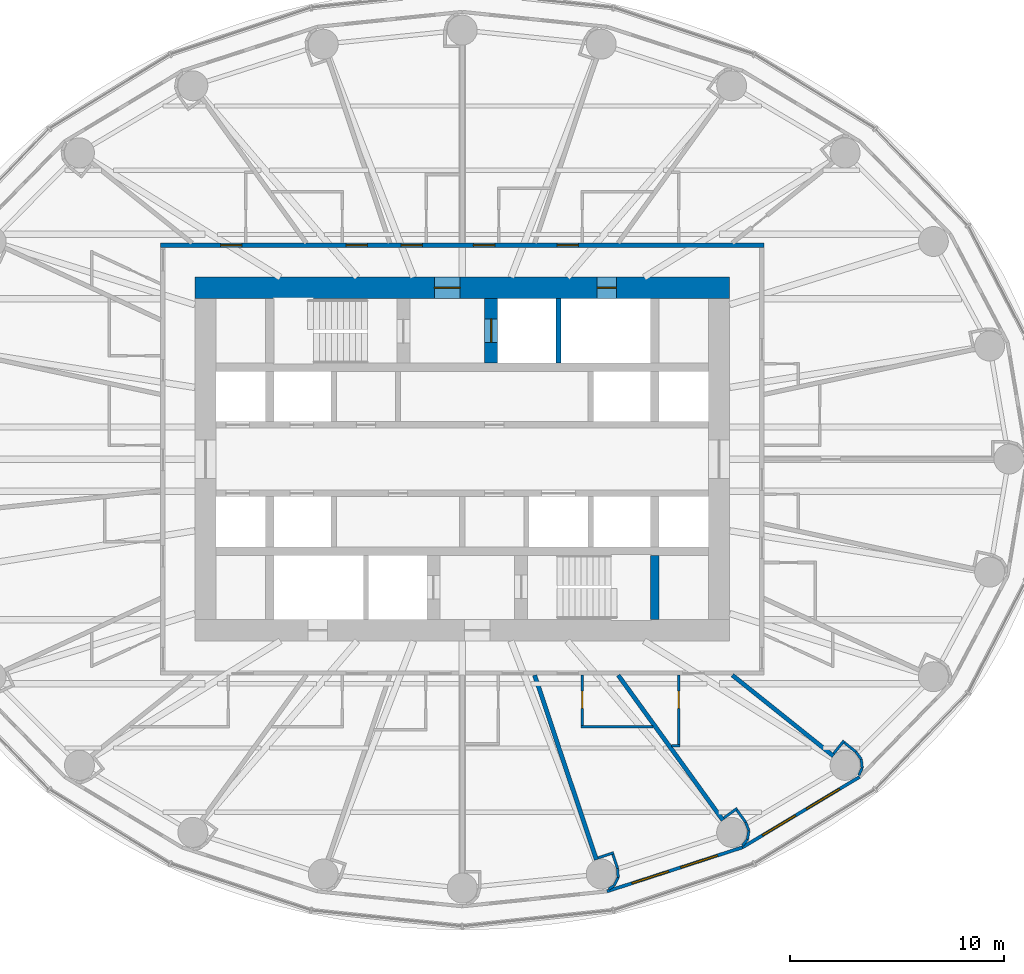
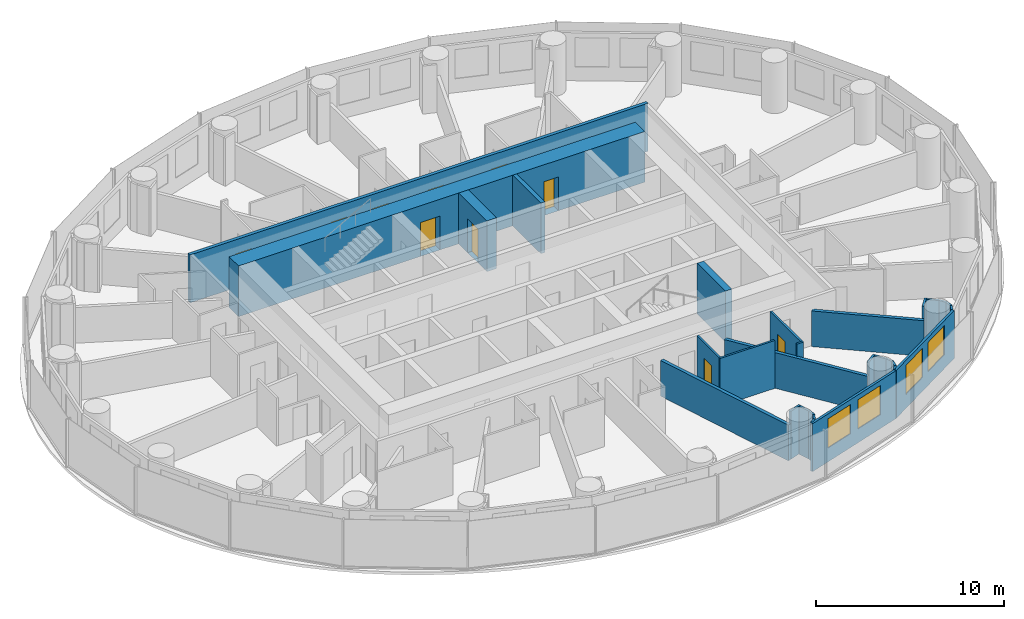
# One storey, part 9 of 14: 29 walls, 10 doors, 4 windows, 14 openings.
"""IFC4 building model written with IfcOpenShell, lengths in metres."""

from ifc_helpers import new_model, si_unit, direction, frame, frame_2d, origin, place, context, subcontext, project, spatial, rectangle, extrude, material, layer, layer_set, type_object, element, fill, save


model = new_model("IFC4")

# Units and contexts
model_context = context("Model", 3, precision=1e-05, world=origin(), true_north=direction((0.0, 1.0)))
body_context = subcontext(model_context, "Body", "Model", "MODEL_VIEW")
ifc_project = project(units=[si_unit("LENGTHUNIT", "METRE"), si_unit("AREAUNIT", "SQUARE_METRE"), si_unit("VOLUMEUNIT", "CUBIC_METRE"), si_unit("PLANEANGLEUNIT", "RADIAN"), si_unit("MASSUNIT", "GRAM", prefix="KILO")], contexts=[model_context])

# Site, building, storey
site_placement = place(None, origin())
site = spatial("IfcSite", under=ifc_project, at=site_placement, CompositionType="ELEMENT")
building_placement = place(site_placement, origin())
building = spatial("IfcBuilding", under=site, at=building_placement, Name="Hankou Lantern Tower", CompositionType="ELEMENT")
storey_placement = place(building_placement, frame((0.0, 0.0, 60.60009765625)))
storey = spatial("IfcBuildingStorey", under=building, at=storey_placement, Name="L14", CompositionType="ELEMENT", Elevation=60.60009765625)

# Wall, openings, doors
ifc_material_1 = material(Name="Concrete C60", Category="concrete")
ifc_layer_1 = layer(ifc_material_1, 1.0)
ifc_layer_set_1 = layer_set([ifc_layer_1], Name="Concrete C60")
wall_type_1 = type_object("IfcWallType", Name="CW1 CORE WALL 1000", PredefinedType="SHEAR", material=ifc_layer_set_1)
wall_1_placement = place(storey_placement, frame((-12.5, 8.0, 0.0), z_axis=(0.0, 0.0, 1.0), x_axis=(1.0, 0.0, 0.0)))
wall_1 = element("IfcWall", 1, at=wall_1_placement, inside=storey, type_object=wall_type_1, Name="Core wall north L14", PredefinedType="SHEAR", context=body_context, shape_type="SweptSolid", body=[
    extrude(rectangle(XDim=25.0, YDim=1.0, at=frame_2d((12.5, 0.0))), origin(), (0.0, 0.0, 1.0), 3.2998046875),
])
opening_1_placement = place(wall_1_placement, frame((11.199951171875, 0.0, 0.0)))
opening_1 = element("IfcOpeningElement", 2, at=opening_1_placement, cuts=wall_1, Name="Opening D5", PredefinedType="OPENING", context=body_context, shape_type="SweptSolid", body=[
    extrude(rectangle(XDim=1.199951171875, YDim=2.199951171875, at=frame_2d((0.60009765625, 1.10009765625))), frame((0.0, 0.510009765625, 0.0), z_axis=(0.0, -1.0, 0.0), x_axis=(1.0, 0.0, 0.0)), (0.0, 0.0, 1.0), 1.02001953125),
])
opening_2_placement = place(wall_1_placement, frame((18.800048828125, 0.0, 0.0)))
opening_2 = element("IfcOpeningElement", 3, at=opening_2_placement, cuts=wall_1, Name="Opening D7", PredefinedType="OPENING", context=body_context, shape_type="SweptSolid", body=[
    extrude(rectangle(XDim=0.89990234375, YDim=2.199951171875, at=frame_2d((0.449951171875, 1.10009765625))), frame((0.0, 0.510009765625, 0.0), z_axis=(0.0, -1.0, 0.0), x_axis=(1.0, 0.0, 0.0)), (0.0, 0.0, 1.0), 1.02001953125),
])
ifc_material_2 = material(Name="Steel door leaf", Category="steel")
door_type_1 = type_object("IfcDoorType", Name="D5 STAIR LOBBY DOOR 1200X2200", OperationType="SINGLE_SWING_LEFT", PredefinedType="DOOR", material=ifc_material_2)
door_1_placement = place(opening_1_placement, origin())
door_1 = element("IfcDoor", 4, at=door_1_placement, inside=storey, type_object=door_type_1, Name="Stair A lobby door", OperationType="SINGLE_SWING_LEFT", OverallHeight=2.199951171875, OverallWidth=1.199951171875, PredefinedType="DOOR", context=body_context, shape_type="SweptSolid", body=[
    extrude(rectangle(XDim=1.199951171875, YDim=2.199951171875, at=frame_2d((0.60009765625, 1.10009765625))), frame((0.0, 0.02490234375, 0.0), z_axis=(0.0, -1.0, 0.0), x_axis=(1.0, 0.0, 0.0)), (0.0, 0.0, 1.0), 0.050048828125),
])
fill(opening_1, door_1)
ifc_material_3 = material(Name="Steel door leaf", Category="steel")
door_type_2 = type_object("IfcDoorType", Name="D7 RISER DOOR 900X2200", OperationType="SINGLE_SWING_LEFT", PredefinedType="DOOR", material=ifc_material_3)
door_2_placement = place(opening_2_placement, origin())
door_2 = element("IfcDoor", 5, at=door_2_placement, inside=storey, type_object=door_type_2, Name="Riser N1 door", OperationType="SINGLE_SWING_RIGHT", OverallHeight=2.199951171875, OverallWidth=0.89990234375, PredefinedType="DOOR", context=body_context, shape_type="SweptSolid", body=[
    extrude(rectangle(XDim=0.89990234375, YDim=2.199951171875, at=frame_2d((0.449951171875, 1.10009765625))), frame((0.0, 0.02490234375, 0.0), z_axis=(0.0, -1.0, 0.0), x_axis=(1.0, 0.0, 0.0)), (0.0, 0.0, 1.0), 0.050048828125),
])
fill(opening_2, door_2)

# Wall
ifc_material_4 = material(Name="Concrete C60", Category="concrete")
ifc_layer_2 = layer(ifc_material_4, 0.39990234375)
ifc_layer_set_2 = layer_set([ifc_layer_2], Name="Concrete C60")
wall_type_2 = type_object("IfcWallType", Name="CW4 CORE CROSS WALL 400", PredefinedType="SHEAR", material=ifc_layer_set_2)
wall_2_placement = place(storey_placement, frame((9.0, -7.5, 0.0), z_axis=(0.0, 0.0, 1.0), x_axis=(0.0, 1.0, 0.0)))
element("IfcWall", 6, at=wall_2_placement, inside=storey, type_object=wall_type_2, Name="Core strip wall L14", PredefinedType="SHEAR", context=body_context, shape_type="SweptSolid", body=[
    extrude(rectangle(XDim=3.0, YDim=0.39990234375, at=frame_2d((1.5, 0.0))), origin(), (0.0, 0.0, 1.0), 3.2998046875),
])

# Wall, opening, door
ifc_material_5 = material(Name="Concrete C60", Category="concrete")
ifc_layer_3 = layer(ifc_material_5, 0.60009765625)
ifc_layer_set_3 = layer_set([ifc_layer_3], Name="Concrete C60")
wall_type_3 = type_object("IfcWallType", Name="CW6 STAIR AND SHAFT WALL 600", PredefinedType="SHEAR", material=ifc_layer_set_3)
wall_3_placement = place(storey_placement, frame((1.35009765625, 4.5, 0.0), z_axis=(0.0, 0.0, 1.0), x_axis=(0.0, 1.0, 0.0)))
wall_3 = element("IfcWall", 7, at=wall_3_placement, inside=storey, type_object=wall_type_3, Name="Firefighting lift shaft wall L14", PredefinedType="SHEAR", context=body_context, shape_type="SweptSolid", body=[
    extrude(rectangle(XDim=3.0, YDim=0.60009765625, at=frame_2d((1.5, 0.0))), origin(), (0.0, 0.0, 1.0), 3.2998046875),
])
opening_3_placement = place(wall_3_placement, frame((0.949951171875, 0.0, 0.0)))
opening_3 = element("IfcOpeningElement", 8, at=opening_3_placement, cuts=wall_3, Name="Opening LD2", PredefinedType="OPENING", context=body_context, shape_type="SweptSolid", body=[
    extrude(rectangle(XDim=1.10009765625, YDim=2.199951171875, at=frame_2d((0.550048828125, 1.10009765625))), frame((0.0, 0.31005859375, 0.0), z_axis=(0.0, -1.0, 0.0), x_axis=(1.0, 0.0, 0.0)), (0.0, 0.0, 1.0), 0.6201171875),
])
ifc_material_6 = material(Name="Steel door leaf", Category="steel")
door_type_3 = type_object("IfcDoorType", Name="LD2 FIREFIGHTING LIFT LANDING DOOR 1100X2200", OperationType="DOUBLE_DOOR_SLIDING", PredefinedType="DOOR", material=ifc_material_6)
door_3_placement = place(opening_3_placement, origin())
door_3 = element("IfcDoor", 9, at=door_3_placement, inside=storey, type_object=door_type_3, Name="Firefighting lift FL1 landing door", OperationType="DOUBLE_DOOR_SLIDING", OverallHeight=2.199951171875, OverallWidth=1.10009765625, PredefinedType="DOOR", context=body_context, shape_type="SweptSolid", body=[
    extrude(rectangle(XDim=1.10009765625, YDim=2.199951171875, at=frame_2d((0.550048828125, 1.10009765625))), frame((0.0, 0.02490234375, 0.0), z_axis=(0.0, -1.0, 0.0), x_axis=(1.0, 0.0, 0.0)), (0.0, 0.0, 1.0), 0.050048828125),
])
fill(opening_3, door_3)

# Wall, openings, windows
ifc_material_7 = material(Name="Aluminium spandrel panel on steel studs", Category="steel")
ifc_layer_4 = layer(ifc_material_7, 0.14990234375)
ifc_layer_set_4 = layer_set([ifc_layer_4], Name="Aluminium spandrel panel on steel studs")
wall_type_4 = type_object("IfcWallType", Name="EW1 INNER SKIN WALL 150", PredefinedType="ELEMENTEDWALL", material=ifc_layer_set_4)
wall_4_placement = place(storey_placement, frame((6.766357421875, -20.201904296875, 0.0), z_axis=(0.0, 0.0, 1.0), x_axis=(0.951137534625, 0.308767534285, 0.0)))
wall_4 = element("IfcWall", 10, at=wall_4_placement, inside=storey, type_object=wall_type_4, Name="Inner skin R20-R21 L14", PredefinedType="ELEMENTEDWALL", context=body_context, shape_type="SweptSolid", body=[
    extrude(rectangle(XDim=6.6552734375, YDim=0.14990234375, at=frame_2d((3.32763671875, 0.0))), origin(), (0.0, 0.0, 1.0), 3.119873046875),
])
opening_4_placement = place(wall_4_placement, frame((1.2275390625, 0.0, 0.89990234375)))
opening_4 = element("IfcOpeningElement", 11, at=opening_4_placement, cuts=wall_4, Name="Opening W1", PredefinedType="OPENING", context=body_context, shape_type="SweptSolid", body=[
    extrude(rectangle(XDim=1.800048828125, YDim=1.89990234375, at=frame_2d((0.89990234375, 0.949951171875))), frame((0.0, 0.0849609375, 0.0), z_axis=(0.0, -1.0, 0.0), x_axis=(1.0, 0.0, 0.0)), (0.0, 0.0, 1.0), 0.169921875),
])
opening_5_placement = place(wall_4_placement, frame((3.627685546875, 0.0, 0.89990234375)))
opening_5 = element("IfcOpeningElement", 12, at=opening_5_placement, cuts=wall_4, Name="Opening W1", PredefinedType="OPENING", context=body_context, shape_type="SweptSolid", body=[
    extrude(rectangle(XDim=1.800048828125, YDim=1.89990234375, at=frame_2d((0.89990234375, 0.949951171875))), frame((0.0, 0.0849609375, 0.0), z_axis=(0.0, -1.0, 0.0), x_axis=(1.0, 0.0, 0.0)), (0.0, 0.0, 1.0), 0.169921875),
])
ifc_material_8 = material(Name="Aluminium framed double glazed window", Category="aluminium")
window_type = type_object("IfcWindowType", Name="W1 GUEST ROOM WINDOW 1800X1900", PartitioningType="DOUBLE_PANEL_VERTICAL", PredefinedType="WINDOW", material=ifc_material_8)
window_1_placement = place(opening_4_placement, origin())
window_1 = element("IfcWindow", 13, at=window_1_placement, inside=storey, type_object=window_type, Name="Window R20.1 L14", OverallHeight=1.89990234375, OverallWidth=1.800048828125, PartitioningType="SINGLE_PANEL", PredefinedType="WINDOW", context=body_context, shape_type="SweptSolid", body=[
    extrude(rectangle(XDim=1.800048828125, YDim=1.89990234375, at=frame_2d((0.89990234375, 0.949951171875))), frame((0.0, 0.030029296875, 0.0), z_axis=(0.0, -1.0, 0.0), x_axis=(1.0, 0.0, 0.0)), (0.0, 0.0, 1.0), 0.06005859375),
])
fill(opening_4, window_1)
window_2_placement = place(opening_5_placement, origin())
window_2 = element("IfcWindow", 14, at=window_2_placement, inside=storey, type_object=window_type, Name="Window R20.2 L14", OverallHeight=1.89990234375, OverallWidth=1.800048828125, PartitioningType="SINGLE_PANEL", PredefinedType="WINDOW", context=body_context, shape_type="SweptSolid", body=[
    extrude(rectangle(XDim=1.800048828125, YDim=1.89990234375, at=frame_2d((0.89990234375, 0.949951171875))), frame((0.0, 0.030029296875, 0.0), z_axis=(0.0, -1.0, 0.0), x_axis=(1.0, 0.0, 0.0)), (0.0, 0.0, 1.0), 0.06005859375),
])
fill(opening_5, window_2)

wall_5_placement = place(storey_placement, frame((13.096435546875, -18.14697265625, 0.0), z_axis=(0.0, 0.0, 1.0), x_axis=(0.856983180864, 0.515344377787, 0.0)))
wall_5 = element("IfcWall", 15, at=wall_5_placement, inside=storey, type_object=wall_type_4, Name="Inner skin R21-R22 L14", PredefinedType="ELEMENTEDWALL", context=body_context, shape_type="SweptSolid", body=[
    extrude(rectangle(XDim=6.386474609375, YDim=0.14990234375, at=frame_2d((3.193359375, 0.0))), origin(), (0.0, 0.0, 1.0), 3.119873046875),
])
opening_6_placement = place(wall_5_placement, frame((1.09326171875, 0.0, 0.89990234375)))
opening_6 = element("IfcOpeningElement", 16, at=opening_6_placement, cuts=wall_5, Name="Opening W1", PredefinedType="OPENING", context=body_context, shape_type="SweptSolid", body=[
    extrude(rectangle(XDim=1.800048828125, YDim=1.89990234375, at=frame_2d((0.89990234375, 0.949951171875))), frame((0.0, 0.0849609375, 0.0), z_axis=(0.0, -1.0, 0.0), x_axis=(1.0, 0.0, 0.0)), (0.0, 0.0, 1.0), 0.169921875),
])
opening_7_placement = place(wall_5_placement, frame((3.4931640625, 0.0, 0.89990234375)))
opening_7 = element("IfcOpeningElement", 17, at=opening_7_placement, cuts=wall_5, Name="Opening W1", PredefinedType="OPENING", context=body_context, shape_type="SweptSolid", body=[
    extrude(rectangle(XDim=1.800048828125, YDim=1.89990234375, at=frame_2d((0.89990234375, 0.949951171875))), frame((0.0, 0.0849609375, 0.0), z_axis=(0.0, -1.0, 0.0), x_axis=(1.0, 0.0, 0.0)), (0.0, 0.0, 1.0), 0.169921875),
])
window_3_placement = place(opening_6_placement, origin())
window_3 = element("IfcWindow", 18, at=window_3_placement, inside=storey, type_object=window_type, Name="Window R21.1 L14", OverallHeight=1.89990234375, OverallWidth=1.800048828125, PartitioningType="SINGLE_PANEL", PredefinedType="WINDOW", context=body_context, shape_type="SweptSolid", body=[
    extrude(rectangle(XDim=1.800048828125, YDim=1.89990234375, at=frame_2d((0.89990234375, 0.949951171875))), frame((0.0, 0.030029296875, 0.0), z_axis=(0.0, -1.0, 0.0), x_axis=(1.0, 0.0, 0.0)), (0.0, 0.0, 1.0), 0.06005859375),
])
fill(opening_6, window_3)
window_4_placement = place(opening_7_placement, origin())
window_4 = element("IfcWindow", 19, at=window_4_placement, inside=storey, type_object=window_type, Name="Window R21.2 L14", OverallHeight=1.89990234375, OverallWidth=1.800048828125, PartitioningType="SINGLE_PANEL", PredefinedType="WINDOW", context=body_context, shape_type="SweptSolid", body=[
    extrude(rectangle(XDim=1.800048828125, YDim=1.89990234375, at=frame_2d((0.89990234375, 0.949951171875))), frame((0.0, 0.030029296875, 0.0), z_axis=(0.0, -1.0, 0.0), x_axis=(1.0, 0.0, 0.0)), (0.0, 0.0, 1.0), 0.06005859375),
])
fill(opening_7, window_4)

# Walls
ifc_material_9 = material(Name="Masonry lightweight concrete block", Category="masonry")
ifc_layer_5 = layer(ifc_material_9, 0.199951171875)
ifc_layer_set_5 = layer_set([ifc_layer_5], Name="Masonry lightweight concrete block")
wall_type_5 = type_object("IfcWallType", Name="IW1 GUEST ROOM PARTY WALL 200", PredefinedType="PARTITIONING", material=ifc_layer_set_5)
wall_6_placement = place(storey_placement, frame((3.3828125, -10.10009765625, 0.0), z_axis=(0.0, 0.0, 1.0), x_axis=(0.31759592231, -0.948226149256, 0.0)))
element("IfcWall", 20, at=wall_6_placement, inside=storey, type_object=wall_type_5, Name="Party wall R20", PredefinedType="PARTITIONING", context=body_context, shape_type="SweptSolid", body=[
    extrude(rectangle(XDim=9.098388671875, YDim=0.199951171875, at=frame_2d((4.54931640625, 0.0))), origin(), (0.0, 0.0, 1.0), 2.31982421875),
])
wall_7_placement = place(storey_placement, frame((7.2890625, -10.10009765625, 0.0), z_axis=(0.0, 0.0, 1.0), x_axis=(0.585198353053, -0.810890182197, 0.0)))
element("IfcWall", 21, at=wall_7_placement, inside=storey, type_object=wall_type_5, Name="Party wall R21", PredefinedType="PARTITIONING", context=body_context, shape_type="SweptSolid", body=[
    extrude(rectangle(XDim=8.359619140625, YDim=0.199951171875, at=frame_2d((4.1796875, 0.0))), origin(), (0.0, 0.0, 1.0), 2.31982421875),
])
wall_8_placement = place(storey_placement, frame((12.625, -10.10009765625, 0.0), z_axis=(0.0, 0.0, 1.0), x_axis=(0.780892451574, -0.624665493744, 0.0)))
element("IfcWall", 22, at=wall_8_placement, inside=storey, type_object=wall_type_5, Name="Party wall R22", PredefinedType="PARTITIONING", context=body_context, shape_type="SweptSolid", body=[
    extrude(rectangle(XDim=6.044677734375, YDim=0.199951171875, at=frame_2d((3.0224609375, 0.0))), origin(), (0.0, 0.0, 1.0), 2.31982421875),
])

# Wall, openings, doors
ifc_material_10 = material(Name="Masonry lightweight concrete block", Category="masonry")
ifc_layer_6 = layer(ifc_material_10, 0.199951171875)
ifc_layer_set_6 = layer_set([ifc_layer_6], Name="Masonry lightweight concrete block")
wall_type_6 = type_object("IfcWallType", Name="IW2 CORRIDOR WALL 200", PredefinedType="PARTITIONING", material=ifc_layer_set_6)
wall_9_placement = place(storey_placement, frame((-14.10009765625, 10.0, 0.0), z_axis=(0.0, 0.0, 1.0), x_axis=(1.0, 0.0, 0.0)))
wall_9 = element("IfcWall", 23, at=wall_9_placement, inside=storey, type_object=wall_type_6, Name="Corridor wall north", PredefinedType="PARTITIONING", context=body_context, shape_type="SweptSolid", body=[
    extrude(rectangle(XDim=28.2001953125, YDim=0.199951171875, at=frame_2d((14.10009765625, 0.0))), origin(), (0.0, 0.0, 1.0), 3.119873046875),
])
opening_8_placement = place(wall_9_placement, frame((18.529052734375, 0.0, 0.0)))
opening_8 = element("IfcOpeningElement", 24, at=opening_8_placement, cuts=wall_9, Name="Opening D1", PredefinedType="OPENING", context=body_context, shape_type="SweptSolid", body=[
    extrude(rectangle(XDim=1.0, YDim=2.199951171875, at=frame_2d((0.5, 1.10009765625))), frame((0.0, 0.10986328125, 0.0), z_axis=(0.0, -1.0, 0.0), x_axis=(1.0, 0.0, 0.0)), (0.0, 0.0, 1.0), 0.219970703125),
])
opening_9_placement = place(wall_9_placement, frame((14.622802734375, 0.0, 0.0)))
opening_9 = element("IfcOpeningElement", 25, at=opening_9_placement, cuts=wall_9, Name="Opening D1", PredefinedType="OPENING", context=body_context, shape_type="SweptSolid", body=[
    extrude(rectangle(XDim=1.0, YDim=2.199951171875, at=frame_2d((0.5, 1.10009765625))), frame((0.0, 0.10986328125, 0.0), z_axis=(0.0, -1.0, 0.0), x_axis=(1.0, 0.0, 0.0)), (0.0, 0.0, 1.0), 0.219970703125),
])
opening_10_placement = place(wall_9_placement, frame((11.239990234375, 0.0, 0.0)))
opening_10 = element("IfcOpeningElement", 26, at=opening_10_placement, cuts=wall_9, Name="Opening D1", PredefinedType="OPENING", context=body_context, shape_type="SweptSolid", body=[
    extrude(rectangle(XDim=1.0, YDim=2.199951171875, at=frame_2d((0.5, 1.10009765625))), frame((0.0, 0.10986328125, 0.0), z_axis=(0.0, -1.0, 0.0), x_axis=(1.0, 0.0, 0.0)), (0.0, 0.0, 1.0), 0.219970703125),
])
opening_11_placement = place(wall_9_placement, frame((8.6708984375, 0.0, 0.0)))
opening_11 = element("IfcOpeningElement", 27, at=opening_11_placement, cuts=wall_9, Name="Opening D1", PredefinedType="OPENING", context=body_context, shape_type="SweptSolid", body=[
    extrude(rectangle(XDim=1.0, YDim=2.199951171875, at=frame_2d((0.5, 1.10009765625))), frame((0.0, 0.10986328125, 0.0), z_axis=(0.0, -1.0, 0.0), x_axis=(1.0, 0.0, 0.0)), (0.0, 0.0, 1.0), 0.219970703125),
])
opening_12_placement = place(wall_9_placement, frame((2.801025390625, 0.0, 0.0)))
opening_12 = element("IfcOpeningElement", 28, at=opening_12_placement, cuts=wall_9, Name="Opening D1", PredefinedType="OPENING", context=body_context, shape_type="SweptSolid", body=[
    extrude(rectangle(XDim=1.0, YDim=2.199951171875, at=frame_2d((0.5, 1.10009765625))), frame((0.0, 0.10986328125, 0.0), z_axis=(0.0, -1.0, 0.0), x_axis=(1.0, 0.0, 0.0)), (0.0, 0.0, 1.0), 0.219970703125),
])
ifc_material_11 = material(Name="Steel door leaf", Category="steel")
door_type_4 = type_object("IfcDoorType", Name="D1 GUEST ROOM DOOR 1000X2200", OperationType="SINGLE_SWING_LEFT", PredefinedType="DOOR", material=ifc_material_11)
door_4_placement = place(opening_8_placement, origin())
door_4 = element("IfcDoor", 29, at=door_4_placement, inside=storey, type_object=door_type_4, Name="Guest room door 1405", OperationType="SINGLE_SWING_RIGHT", OverallHeight=2.199951171875, OverallWidth=1.0, PredefinedType="DOOR", context=body_context, shape_type="SweptSolid", body=[
    extrude(rectangle(XDim=1.0, YDim=2.199951171875, at=frame_2d((0.5, 1.10009765625))), frame((0.0, 0.02490234375, 0.0), z_axis=(0.0, -1.0, 0.0), x_axis=(1.0, 0.0, 0.0)), (0.0, 0.0, 1.0), 0.050048828125),
])
fill(opening_8, door_4)
door_5_placement = place(opening_9_placement, origin())
door_5 = element("IfcDoor", 30, at=door_5_placement, inside=storey, type_object=door_type_4, Name="Guest room door 1406", OperationType="SINGLE_SWING_RIGHT", OverallHeight=2.199951171875, OverallWidth=1.0, PredefinedType="DOOR", context=body_context, shape_type="SweptSolid", body=[
    extrude(rectangle(XDim=1.0, YDim=2.199951171875, at=frame_2d((0.5, 1.10009765625))), frame((0.0, 0.02490234375, 0.0), z_axis=(0.0, -1.0, 0.0), x_axis=(1.0, 0.0, 0.0)), (0.0, 0.0, 1.0), 0.050048828125),
])
fill(opening_9, door_5)
door_6_placement = place(opening_10_placement, origin())
door_6 = element("IfcDoor", 31, at=door_6_placement, inside=storey, type_object=door_type_4, Name="Guest room door 1407", OperationType="SINGLE_SWING_RIGHT", OverallHeight=2.199951171875, OverallWidth=1.0, PredefinedType="DOOR", context=body_context, shape_type="SweptSolid", body=[
    extrude(rectangle(XDim=1.0, YDim=2.199951171875, at=frame_2d((0.5, 1.10009765625))), frame((0.0, 0.02490234375, 0.0), z_axis=(0.0, -1.0, 0.0), x_axis=(1.0, 0.0, 0.0)), (0.0, 0.0, 1.0), 0.050048828125),
])
fill(opening_10, door_6)
door_7_placement = place(opening_11_placement, origin())
door_7 = element("IfcDoor", 32, at=door_7_placement, inside=storey, type_object=door_type_4, Name="Guest room door 1408", OperationType="SINGLE_SWING_LEFT", OverallHeight=2.199951171875, OverallWidth=1.0, PredefinedType="DOOR", context=body_context, shape_type="SweptSolid", body=[
    extrude(rectangle(XDim=1.0, YDim=2.199951171875, at=frame_2d((0.5, 1.10009765625))), frame((0.0, 0.02490234375, 0.0), z_axis=(0.0, -1.0, 0.0), x_axis=(1.0, 0.0, 0.0)), (0.0, 0.0, 1.0), 0.050048828125),
])
fill(opening_11, door_7)
door_8_placement = place(opening_12_placement, origin())
door_8 = element("IfcDoor", 33, at=door_8_placement, inside=storey, type_object=door_type_4, Name="Guest room door 1409", OperationType="SINGLE_SWING_RIGHT", OverallHeight=2.199951171875, OverallWidth=1.0, PredefinedType="DOOR", context=body_context, shape_type="SweptSolid", body=[
    extrude(rectangle(XDim=1.0, YDim=2.199951171875, at=frame_2d((0.5, 1.10009765625))), frame((0.0, 0.02490234375, 0.0), z_axis=(0.0, -1.0, 0.0), x_axis=(1.0, 0.0, 0.0)), (0.0, 0.0, 1.0), 0.050048828125),
])
fill(opening_12, door_8)

# Wall
ifc_material_12 = material(Name="Masonry lightweight concrete block", Category="masonry")
ifc_layer_7 = layer(ifc_material_12, 0.1201171875)
ifc_layer_set_7 = layer_set([ifc_layer_7], Name="Masonry lightweight concrete block")
wall_type_7 = type_object("IfcWallType", Name="IW3 BATHROOM WALL 120", PredefinedType="PARTITIONING", material=ifc_layer_set_7)
wall_10_placement = place(storey_placement, frame((8.921142578125, -12.5, 0.0), z_axis=(0.0, 0.0, 1.0), x_axis=(-1.0, 0.0, 0.0)))
element("IfcWall", 34, at=wall_10_placement, inside=storey, type_object=wall_type_7, Name="Box wall 1419 1", PredefinedType="PARTITIONING", context=body_context, shape_type="SweptSolid", body=[
    extrude(rectangle(XDim=3.3720703125, YDim=0.1201171875, at=frame_2d((1.68603515625, 0.0))), origin(), (0.0, 0.0, 1.0), 3.119873046875),
])

# Wall, opening, door
wall_11_placement = place(storey_placement, frame((5.609130859375, -10.10009765625, 0.0), z_axis=(0.0, 0.0, 1.0), x_axis=(0.0, -1.0, 0.0)))
wall_11 = element("IfcWall", 35, at=wall_11_placement, inside=storey, type_object=wall_type_7, Name="Box wall 1419 1", PredefinedType="PARTITIONING", context=body_context, shape_type="SweptSolid", body=[
    extrude(rectangle(XDim=2.33984375, YDim=0.1201171875, at=frame_2d((1.169921875, 0.0))), origin(), (0.0, 0.0, 1.0), 3.119873046875),
])
opening_13_placement = place(wall_11_placement, frame((0.75, 0.0, 0.0)))
opening_13 = element("IfcOpeningElement", 36, at=opening_13_placement, cuts=wall_11, Name="Opening D3", PredefinedType="OPENING", context=body_context, shape_type="SweptSolid", body=[
    extrude(rectangle(XDim=0.800048828125, YDim=2.10009765625, at=frame_2d((0.39990234375, 1.050048828125))), frame((0.0, 0.070068359375, 0.0), z_axis=(0.0, -1.0, 0.0), x_axis=(1.0, 0.0, 0.0)), (0.0, 0.0, 1.0), 0.14013671875),
])
ifc_material_13 = material(Name="Timber door leaf", Category="wood")
door_type_5 = type_object("IfcDoorType", Name="D3 BATHROOM DOOR 800X2100", OperationType="SINGLE_SWING_LEFT", PredefinedType="DOOR", material=ifc_material_13)
door_9_placement = place(opening_13_placement, origin())
door_9 = element("IfcDoor", 37, at=door_9_placement, inside=storey, type_object=door_type_5, Name="En-suite bathroom 1419 door", OperationType="SINGLE_SWING_LEFT", OverallHeight=2.10009765625, OverallWidth=0.800048828125, PredefinedType="DOOR", context=body_context, shape_type="SweptSolid", body=[
    extrude(rectangle(XDim=0.800048828125, YDim=2.10009765625, at=frame_2d((0.39990234375, 1.050048828125))), frame((0.0, 0.02490234375, 0.0), z_axis=(0.0, -1.0, 0.0), x_axis=(1.0, 0.0, 0.0)), (0.0, 0.0, 1.0), 0.050048828125),
])
fill(opening_13, door_9)

# Wall
wall_12_placement = place(storey_placement, frame((9.7705078125, -13.39990234375, 0.0), z_axis=(0.0, 0.0, 1.0), x_axis=(1.0, 0.0, 0.0)))
element("IfcWall", 38, at=wall_12_placement, inside=storey, type_object=wall_type_7, Name="Box wall 1420 1", PredefinedType="PARTITIONING", context=body_context, shape_type="SweptSolid", body=[
    extrude(rectangle(XDim=0.408447265625, YDim=0.1201171875, at=frame_2d((0.2041015625, 0.0))), origin(), (0.0, 0.0, 1.0), 3.119873046875),
])

# Wall, opening, door
wall_13_placement = place(storey_placement, frame((10.119140625, -10.10009765625, 0.0), z_axis=(0.0, 0.0, 1.0), x_axis=(0.0, -1.0, 0.0)))
wall_13 = element("IfcWall", 39, at=wall_13_placement, inside=storey, type_object=wall_type_7, Name="Box wall 1420 1", PredefinedType="PARTITIONING", context=body_context, shape_type="SweptSolid", body=[
    extrude(rectangle(XDim=3.239990234375, YDim=0.1201171875, at=frame_2d((1.6201171875, 0.0))), origin(), (0.0, 0.0, 1.0), 3.119873046875),
])
opening_14_placement = place(wall_13_placement, frame((0.75, 0.0, 0.0)))
opening_14 = element("IfcOpeningElement", 40, at=opening_14_placement, cuts=wall_13, Name="Opening D3", PredefinedType="OPENING", context=body_context, shape_type="SweptSolid", body=[
    extrude(rectangle(XDim=0.800048828125, YDim=2.10009765625, at=frame_2d((0.39990234375, 1.050048828125))), frame((0.0, 0.070068359375, 0.0), z_axis=(0.0, -1.0, 0.0), x_axis=(1.0, 0.0, 0.0)), (0.0, 0.0, 1.0), 0.14013671875),
])
door_10_placement = place(opening_14_placement, origin())
door_10 = element("IfcDoor", 41, at=door_10_placement, inside=storey, type_object=door_type_5, Name="En-suite bathroom 1420 door", OperationType="SINGLE_SWING_LEFT", OverallHeight=2.10009765625, OverallWidth=0.800048828125, PredefinedType="DOOR", context=body_context, shape_type="SweptSolid", body=[
    extrude(rectangle(XDim=0.800048828125, YDim=2.10009765625, at=frame_2d((0.39990234375, 1.050048828125))), frame((0.0, 0.02490234375, 0.0), z_axis=(0.0, -1.0, 0.0), x_axis=(1.0, 0.0, 0.0)), (0.0, 0.0, 1.0), 0.050048828125),
])
fill(opening_14, door_10)

# Walls
ifc_material_14 = material(Name="Masonry lightweight concrete block", Category="masonry")
ifc_layer_8 = layer(ifc_material_14, 0.1201171875)
ifc_layer_set_8 = layer_set([ifc_layer_8], Name="Masonry lightweight concrete block")
wall_type_8 = type_object("IfcWallType", Name="IW4 PARTITION 120", PredefinedType="PARTITIONING", material=ifc_layer_set_8)
wall_14_placement = place(storey_placement, frame((6.348388671875, -18.638916015625, 0.0), z_axis=(0.0, 0.0, 1.0), x_axis=(0.948268951266, 0.317468102437, 0.0)))
element("IfcWall", 42, at=wall_14_placement, inside=storey, type_object=wall_type_8, Name="Column casing R20 return", PredefinedType="PARTITIONING", context=body_context, shape_type="SweptSolid", body=[
    extrude(rectangle(XDim=0.767578125, YDim=0.1201171875, at=frame_2d((0.3837890625, 0.0))), origin(), (0.0, 0.0, 1.0), 3.119873046875),
])
wall_15_placement = place(storey_placement, frame((7.038330078125, -18.47119140625, 0.0), z_axis=(0.0, 0.0, 1.0), x_axis=(0.317378466199, -0.9482989556, 0.0)))
element("IfcWall", 43, at=wall_15_placement, inside=storey, type_object=wall_type_8, Name="Column casing R20", PredefinedType="PARTITIONING", context=body_context, shape_type="SweptSolid", body=[
    extrude(rectangle(XDim=0.699951171875, YDim=0.1201171875, at=frame_2d((0.35009765625, 0.0))), origin(), (0.0, 0.0, 1.0), 3.119873046875),
])
wall_16_placement = place(storey_placement, frame((7.260498046875, -19.135009765625, 0.0), z_axis=(0.0, 0.0, 1.0), x_axis=(0.0613238046, -0.99811792439, 0.0)))
element("IfcWall", 44, at=wall_16_placement, inside=storey, type_object=wall_type_8, Name="Column casing R20", PredefinedType="PARTITIONING", context=body_context, shape_type="SweptSolid", body=[
    extrude(rectangle(XDim=0.41796875, YDim=0.1201171875, at=frame_2d((0.208984375, 0.0))), origin(), (0.0, 0.0, 1.0), 3.119873046875),
])
wall_17_placement = place(storey_placement, frame((7.2861328125, -19.55224609375, 0.0), z_axis=(0.0, 0.0, 1.0), x_axis=(-0.445810757773, -0.89512723579, 0.0)))
element("IfcWall", 45, at=wall_17_placement, inside=storey, type_object=wall_type_8, Name="Column casing R20", PredefinedType="PARTITIONING", context=body_context, shape_type="SweptSolid", body=[
    extrude(rectangle(XDim=0.417724609375, YDim=0.1201171875, at=frame_2d((0.208984375, 0.0))), origin(), (0.0, 0.0, 1.0), 3.119873046875),
])
wall_18_placement = place(storey_placement, frame((7.099853515625, -19.92626953125, 0.0), z_axis=(0.0, 0.0, 1.0), x_axis=(-0.833488262509, -0.552537162787, 0.0)))
element("IfcWall", 46, at=wall_18_placement, inside=storey, type_object=wall_type_8, Name="Column casing R20", PredefinedType="PARTITIONING", context=body_context, shape_type="SweptSolid", body=[
    extrude(rectangle(XDim=0.312744140625, YDim=0.1201171875, at=frame_2d((0.15625, 0.0))), origin(), (0.0, 0.0, 1.0), 3.119873046875),
])
wall_19_placement = place(storey_placement, frame((12.227294921875, -16.771728515625, 0.0), z_axis=(0.0, 0.0, 1.0), x_axis=(0.810821798253, 0.585293098778, 0.0)))
element("IfcWall", 47, at=wall_19_placement, inside=storey, type_object=wall_type_8, Name="Column casing R21 return", PredefinedType="PARTITIONING", context=body_context, shape_type="SweptSolid", body=[
    extrude(rectangle(XDim=0.767578125, YDim=0.1201171875, at=frame_2d((0.3837890625, 0.0))), origin(), (0.0, 0.0, 1.0), 3.119873046875),
])
wall_20_placement = place(storey_placement, frame((12.8359375, -16.40625, 0.0), z_axis=(0.0, 0.0, 1.0), x_axis=(0.585223113993, -0.810872312296, 0.0)))
element("IfcWall", 48, at=wall_20_placement, inside=storey, type_object=wall_type_8, Name="Column casing R21", PredefinedType="PARTITIONING", context=body_context, shape_type="SweptSolid", body=[
    extrude(rectangle(XDim=0.699951171875, YDim=0.1201171875, at=frame_2d((0.35009765625, 0.0))), origin(), (0.0, 0.0, 1.0), 3.119873046875),
])
wall_21_placement = place(storey_placement, frame((13.24560546875, -16.973876953125, 0.0), z_axis=(0.0, 0.0, 1.0), x_axis=(0.355728122235, -0.934589483705, 0.0)))
element("IfcWall", 49, at=wall_21_placement, inside=storey, type_object=wall_type_8, Name="Column casing R21", PredefinedType="PARTITIONING", context=body_context, shape_type="SweptSolid", body=[
    extrude(rectangle(XDim=0.41796875, YDim=0.1201171875, at=frame_2d((0.208984375, 0.0))), origin(), (0.0, 0.0, 1.0), 3.119873046875),
])
wall_22_placement = place(storey_placement, frame((13.394287109375, -17.364501953125, 0.0), z_axis=(0.0, 0.0, 1.0), x_axis=(-0.159379276926, -0.987217425943, 0.0)))
element("IfcWall", 50, at=wall_22_placement, inside=storey, type_object=wall_type_8, Name="Column casing R21", PredefinedType="PARTITIONING", context=body_context, shape_type="SweptSolid", body=[
    extrude(rectangle(XDim=0.418212890625, YDim=0.1201171875, at=frame_2d((0.208984375, 0.0))), origin(), (0.0, 0.0, 1.0), 3.119873046875),
])
wall_23_placement = place(storey_placement, frame((13.32763671875, -17.77734375, 0.0), z_axis=(0.0, 0.0, 1.0), x_axis=(-0.632276783541, -0.774742582407, 0.0)))
element("IfcWall", 51, at=wall_23_placement, inside=storey, type_object=wall_type_8, Name="Column casing R21", PredefinedType="PARTITIONING", context=body_context, shape_type="SweptSolid", body=[
    extrude(rectangle(XDim=0.35986328125, YDim=0.1201171875, at=frame_2d((0.179931640625, 0.0))), origin(), (0.0, 0.0, 1.0), 3.119873046875),
])
wall_24_placement = place(storey_placement, frame((17.36083984375, -13.760498046875, 0.0), z_axis=(0.0, 0.0, 1.0), x_axis=(0.624501042889, 0.781023973659, 0.0)))
element("IfcWall", 52, at=wall_24_placement, inside=storey, type_object=wall_type_8, Name="Column casing R22 return", PredefinedType="PARTITIONING", context=body_context, shape_type="SweptSolid", body=[
    extrude(rectangle(XDim=0.767333984375, YDim=0.1201171875, at=frame_2d((0.3837890625, 0.0))), origin(), (0.0, 0.0, 1.0), 3.119873046875),
])
wall_25_placement = place(storey_placement, frame((17.849609375, -13.24560546875, 0.0), z_axis=(0.0, 0.0, 1.0), x_axis=(0.780902834923, -0.62465251333, 0.0)))
element("IfcWall", 53, at=wall_25_placement, inside=storey, type_object=wall_type_8, Name="Column casing R22", PredefinedType="PARTITIONING", context=body_context, shape_type="SweptSolid", body=[
    extrude(rectangle(XDim=0.699951171875, YDim=0.1201171875, at=frame_2d((0.35009765625, 0.0))), origin(), (0.0, 0.0, 1.0), 3.119873046875),
])
for number, where, z_axis, x_axis, name in (
    (54, (18.396240234375, -13.682861328125, 0.0), (0.0, 0.0, 1.0), (0.592401603461, -0.805642811807, 0.0), "Column casing R22"),
    (55, (18.643798828125, -14.01953125, 0.0), (0.0, 0.0, 1.0), (0.110367433259, -0.993890854006, 0.0), "Column casing R22"),
):
    element("IfcWall", number, at=place(storey_placement, frame(where, z_axis=z_axis, x_axis=x_axis)), inside=storey, type_object=wall_type_8, Name=name, PredefinedType="PARTITIONING", context=body_context, shape_type="SweptSolid", body=[
        extrude(rectangle(XDim=0.41796875, YDim=0.1201171875, at=frame_2d((0.208984375, 0.0))), origin(), (0.0, 0.0, 1.0), 3.119873046875),
    ])
wall_26_placement = place(storey_placement, frame((18.68994140625, -14.43505859375, 0.0), z_axis=(0.0, 0.0, 1.0), x_axis=(-0.401093412634, -0.91603715773, 0.0)))
element("IfcWall", 56, at=wall_26_placement, inside=storey, type_object=wall_type_8, Name="Column casing R22", PredefinedType="PARTITIONING", context=body_context, shape_type="SweptSolid", body=[
    extrude(rectangle(XDim=0.373046875, YDim=0.1201171875, at=frame_2d((0.1865234375, 0.0))), origin(), (0.0, 0.0, 1.0), 3.119873046875),
])
ifc_material_15 = material(Name="Masonry autoclaved aerated concrete block", Category="masonry")
ifc_layer_9 = layer(ifc_material_15, 0.25)
ifc_layer_set_9 = layer_set([ifc_layer_9], Name="Masonry autoclaved aerated concrete block")
wall_type_9 = type_object("IfcWallType", Name="SW1 SHAFT BLOCK WALL 250", PredefinedType="PARTITIONING", material=ifc_layer_set_9)
wall_27_placement = place(storey_placement, frame((4.5, 4.5, 0.0), z_axis=(0.0, 0.0, 1.0), x_axis=(0.0, 1.0, 0.0)))
element("IfcWall", 57, at=wall_27_placement, inside=storey, type_object=wall_type_9, Name="Riser wall L14", PredefinedType="PARTITIONING", context=body_context, shape_type="SweptSolid", body=[
    extrude(rectangle(XDim=3.0, YDim=0.25, at=frame_2d((1.5, 0.0))), origin(), (0.0, 0.0, 1.0), 3.2998046875),
])

save(model, "model.ifc")
